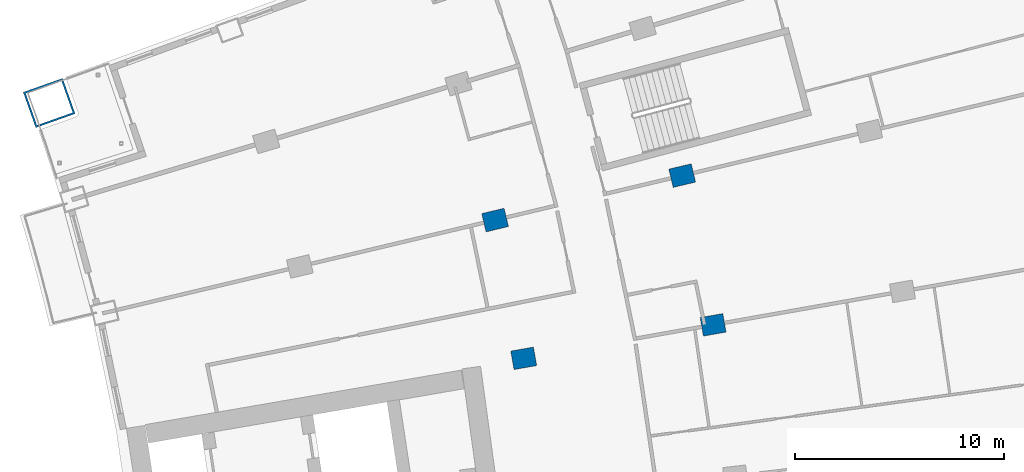
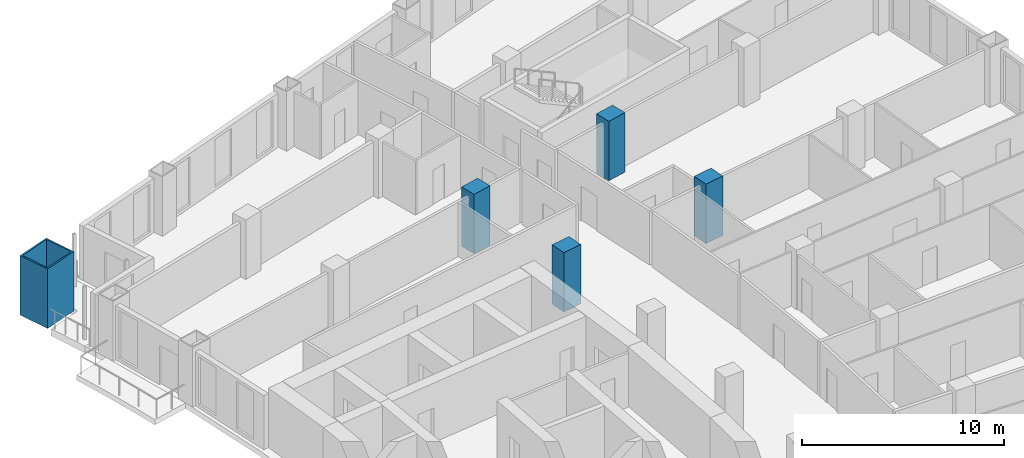
# One storey, part 8 of 25: 5 columns.
"""IFC4 building model written with IfcOpenShell, lengths in metres."""

from ifc_helpers import new_model, si_unit, direction, frame, origin, origin_2d, place, context, subcontext, project, spatial, rectangle, hollow_rectangle, extrude, material, material_profile, profile_set, type_object, element, save


model = new_model("IFC4")

# Units and contexts
model_context = context("Model", 3, precision=1e-05, world=origin(), true_north=direction((0.0, 1.0)))
body_context = subcontext(model_context, "Body", "Model", "MODEL_VIEW")
ifc_project = project(units=[si_unit("LENGTHUNIT", "METRE"), si_unit("AREAUNIT", "SQUARE_METRE"), si_unit("VOLUMEUNIT", "CUBIC_METRE"), si_unit("PLANEANGLEUNIT", "RADIAN"), si_unit("MASSUNIT", "GRAM", prefix="KILO")], contexts=[model_context])

# Site, building, storey
site_placement = place(None, origin())
site = spatial("IfcSite", under=ifc_project, at=site_placement, CompositionType="ELEMENT")
building_placement = place(site_placement, origin())
building = spatial("IfcBuilding", under=site, at=building_placement, Name="Alderwake Tower", CompositionType="ELEMENT")
storey_placement = place(building_placement, frame((0.0, 0.0, 35.60009765625)))
storey = spatial("IfcBuildingStorey", under=building, at=storey_placement, Name="L07", CompositionType="ELEMENT", Elevation=35.60009765625)

# Columns
ifc_material_1 = material(Name="Concrete C70/85", Category="concrete")
ifc_material_profile_1 = material_profile(ifc_material_1, rectangle(XDim=0.89990234375, YDim=1.10009765625, at=origin_2d()), Name="RC 1100X900")
ifc_profile_set_1 = profile_set([ifc_material_profile_1], Name="Concrete C70/85")
column_type_1 = type_object("IfcColumnType", Name="Interior column Z1", PredefinedType="COLUMN", material=ifc_profile_set_1)
for number, where, z_axis, x_axis, name in (
    (1, (34.03125, 81.16162109375, 0.0), (0.0, 0.0, 1.0), (-0.174108800747, 0.984726421654, 0.0), "Column R10-C2"),
    (2, (43.0908203125, 82.763427734375, 0.0), (0.0, 0.0, 1.0), (-0.174108800747, 0.984726421654, 0.0), "Column R10-C3"),
    (3, (32.661865234375, 87.775390625, 0.0), (0.0, 0.0, 1.0), (-0.231221547198, 0.972901123502, 0.0), "Column R11-C2"),
    (4, (41.612548828125, 89.902587890625, 0.0), (0.0, 0.0, 1.0), (-0.231221547198, 0.972901123502, 0.0), "Column R11-C3"),
):
    element("IfcColumn", number, at=place(storey_placement, frame(where, z_axis=z_axis, x_axis=x_axis)), inside=storey, type_object=column_type_1, Name=name, PredefinedType="COLUMN", context=body_context, shape_type="SweptSolid", body=[
        extrude(rectangle(XDim=0.89990234375, YDim=1.10009765625, at=origin_2d()), origin(), (0.0, 0.0, 1.0), 3.599853515625),
    ])
ifc_material_2 = material(Name="Steel ASTM A572 Grade 50 concrete filled C70/85", Category="concrete")
ifc_material_profile_2 = material_profile(ifc_material_2, hollow_rectangle(XDim=1.800048828125, YDim=2.0, WallThickness=0.090087890625, at=origin_2d()), Name="BOX 2000X1800X90")
ifc_profile_set_2 = profile_set([ifc_material_profile_2], Name="Steel ASTM A572 Grade 50 concrete filled C70/85")
column_type_2 = type_object("IfcColumnType", Name="Mega column Z1", PredefinedType="COLUMN", material=ifc_profile_set_2)
column_placement = place(storey_placement, frame((11.330810546875, 93.377197265625, 0.0), z_axis=(0.0, 0.0, 1.0), x_axis=(-0.334130947791, 0.942526662609, 0.0)))
element("IfcColumn", 5, at=column_placement, inside=storey, type_object=column_type_2, Name="Column R13-C0", PredefinedType="COLUMN", context=body_context, shape_type="SweptSolid", body=[
    extrude(hollow_rectangle(XDim=1.800048828125, YDim=2.0, WallThickness=0.090087890625, at=origin_2d()), origin(), (0.0, 0.0, 1.0), 3.599853515625),
])

save(model, "model.ifc")
